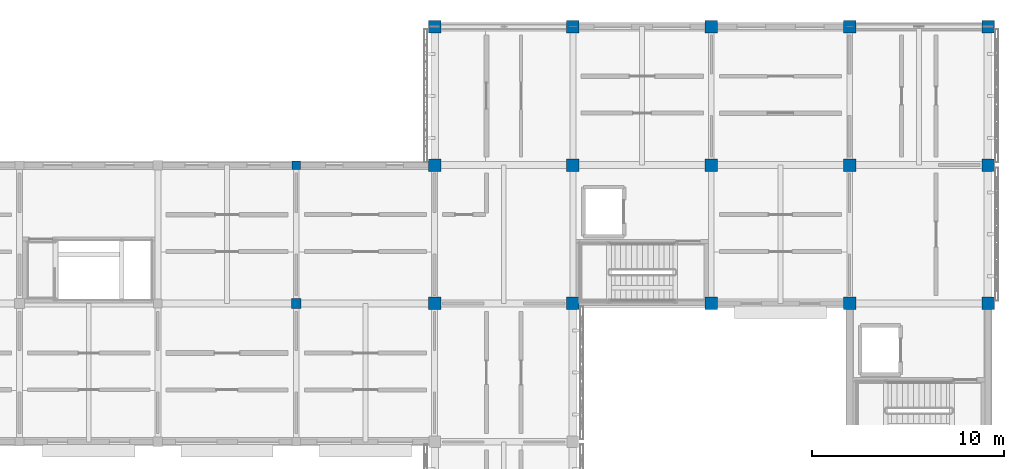
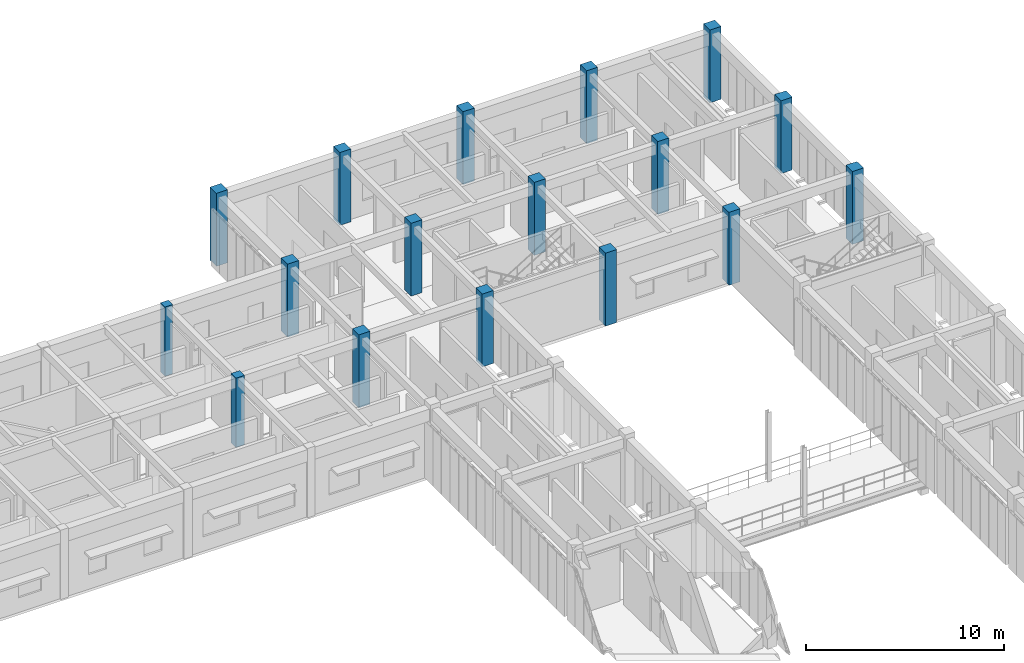
# One storey, part 6 of 171: 17 columns.
"""IFC4 building model written with IfcOpenShell, lengths in metres."""

from ifc_helpers import new_model, si_unit, direction, frame, origin, origin_2d, place, context, subcontext, project, spatial, rectangle, extrude, material, material_profile, profile_set, type_object, element, save


model = new_model("IFC4")

# Units and contexts
model_context = context("Model", 3, precision=1e-05, world=origin(), true_north=direction((0.0, 1.0)))
body_context = subcontext(model_context, "Body", "Model", "MODEL_VIEW")
ifc_project = project(units=[si_unit("LENGTHUNIT", "METRE"), si_unit("AREAUNIT", "SQUARE_METRE"), si_unit("VOLUMEUNIT", "CUBIC_METRE"), si_unit("PLANEANGLEUNIT", "RADIAN"), si_unit("MASSUNIT", "GRAM", prefix="KILO")], contexts=[model_context])

# Site, building, storey
site_placement = place(None, origin())
site = spatial("IfcSite", under=ifc_project, at=site_placement, CompositionType="ELEMENT")
building_placement = place(site_placement, origin())
building = spatial("IfcBuilding", under=site, at=building_placement, Name="Aldebral Square Health Centre", CompositionType="ELEMENT")
storey_placement = place(building_placement, frame((0.0, 0.0, 4.5)))
storey = spatial("IfcBuildingStorey", under=building, at=storey_placement, Name="L01", CompositionType="ELEMENT", Elevation=4.5)

# Columns
ifc_material = material(Name="Concrete C40/50", Category="concrete")
ifc_material_profile_1 = material_profile(ifc_material, rectangle(XDim=0.64990234375, YDim=0.64990234375, at=origin_2d()), Name="RC 650x650")
ifc_profile_set_1 = profile_set([ifc_material_profile_1], Name="Concrete C40/50")
column_type_1 = type_object("IfcColumnType", Name="COL-C2", PredefinedType="COLUMN", material=ifc_profile_set_1)
for number, where, z_axis, x_axis, name in (
    (1, (136.800048828125, 100.800048828125, 0.0), (0.0, 0.0, 1.0), (1.0, 0.0, 0.0), "L01 column 20/15"),
    (2, (136.800048828125, 108.0, 0.0), (0.0, 0.0, 1.0), (1.0, 0.0, 0.0), "L01 column 20/16"),
    (3, (136.800048828125, 115.199951171875, 0.0), (0.0, 0.0, 1.0), (1.0, 0.0, 0.0), "L01 column 20/17"),
    (4, (144.0, 100.800048828125, 0.0), (0.0, 0.0, 1.0), (1.0, 0.0, 0.0), "L01 column 21/15"),
    (5, (144.0, 108.0, 0.0), (0.0, 0.0, 1.0), (1.0, 0.0, 0.0), "L01 column 21/16"),
    (6, (144.0, 115.199951171875, 0.0), (0.0, 0.0, 1.0), (1.0, 0.0, 0.0), "L01 column 21/17"),
    (7, (151.199951171875, 100.800048828125, 0.0), (0.0, 0.0, 1.0), (1.0, 0.0, 0.0), "L01 column 22/15"),
    (8, (151.199951171875, 108.0, 0.0), (0.0, 0.0, 1.0), (1.0, 0.0, 0.0), "L01 column 22/16"),
    (9, (151.199951171875, 115.199951171875, 0.0), (0.0, 0.0, 1.0), (1.0, 0.0, 0.0), "L01 column 22/17"),
    (10, (158.39990234375, 100.800048828125, 0.0), (0.0, 0.0, 1.0), (1.0, 0.0, 0.0), "L01 column 23/15"),
    (11, (158.39990234375, 108.0, 0.0), (0.0, 0.0, 1.0), (1.0, 0.0, 0.0), "L01 column 23/16"),
    (12, (158.39990234375, 115.199951171875, 0.0), (0.0, 0.0, 1.0), (1.0, 0.0, 0.0), "L01 column 23/17"),
    (13, (165.60009765625, 100.800048828125, 0.0), (0.0, 0.0, 1.0), (1.0, 0.0, 0.0), "L01 column 24/15"),
    (14, (165.60009765625, 108.0, 0.0), (0.0, 0.0, 1.0), (1.0, 0.0, 0.0), "L01 column 24/16"),
    (15, (165.60009765625, 115.199951171875, 0.0), (0.0, 0.0, 1.0), (1.0, 0.0, 0.0), "L01 column 24/17"),
):
    element("IfcColumn", number, at=place(storey_placement, frame(where, z_axis=z_axis, x_axis=x_axis)), inside=storey, type_object=column_type_1, Name=name, PredefinedType="COLUMN", context=body_context, shape_type="SweptSolid", body=[
        extrude(rectangle(XDim=0.64990234375, YDim=0.64990234375, at=origin_2d()), origin(), (0.0, 0.0, 1.0), 4.5),
    ])
ifc_material_profile_2 = material_profile(ifc_material, rectangle(XDim=0.5, YDim=0.5, at=origin_2d()), Name="RC 500x500")
ifc_profile_set_2 = profile_set([ifc_material_profile_2], Name="Concrete C40/50")
column_type_2 = type_object("IfcColumnType", Name="COL-C5", PredefinedType="COLUMN", material=ifc_profile_set_2)
column_1_placement = place(storey_placement, frame((129.60009765625, 100.800048828125, 0.0), z_axis=(0.0, 0.0, 1.0), x_axis=(1.0, 0.0, 0.0)))
element("IfcColumn", 16, at=column_1_placement, inside=storey, type_object=column_type_2, Name="L01 column 19/15", PredefinedType="COLUMN", context=body_context, shape_type="SweptSolid", body=[
    extrude(rectangle(XDim=0.5, YDim=0.5, at=origin_2d()), origin(), (0.0, 0.0, 1.0), 4.280029296875),
])
ifc_material_profile_3 = material_profile(ifc_material, rectangle(XDim=0.449951171875, YDim=0.449951171875, at=origin_2d()), Name="RC 450x450")
ifc_profile_set_3 = profile_set([ifc_material_profile_3], Name="Concrete C40/50")
column_type_3 = type_object("IfcColumnType", Name="COL-C6", PredefinedType="COLUMN", material=ifc_profile_set_3)
column_2_placement = place(storey_placement, frame((129.60009765625, 108.0, 0.0), z_axis=(0.0, 0.0, 1.0), x_axis=(1.0, 0.0, 0.0)))
element("IfcColumn", 17, at=column_2_placement, inside=storey, type_object=column_type_3, Name="L01 column 19/16", PredefinedType="COLUMN", context=body_context, shape_type="SweptSolid", body=[
    extrude(rectangle(XDim=0.449951171875, YDim=0.449951171875, at=origin_2d()), origin(), (0.0, 0.0, 1.0), 4.280029296875),
])

save(model, "model.ifc")
